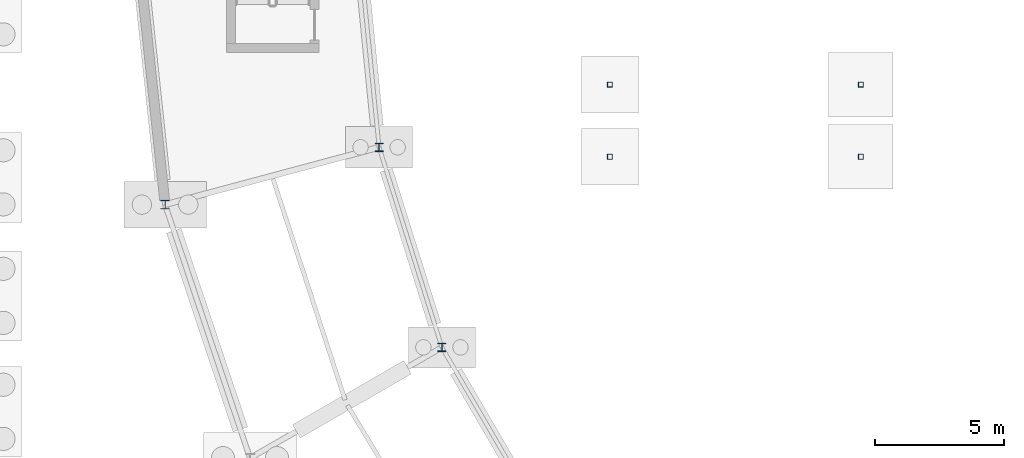
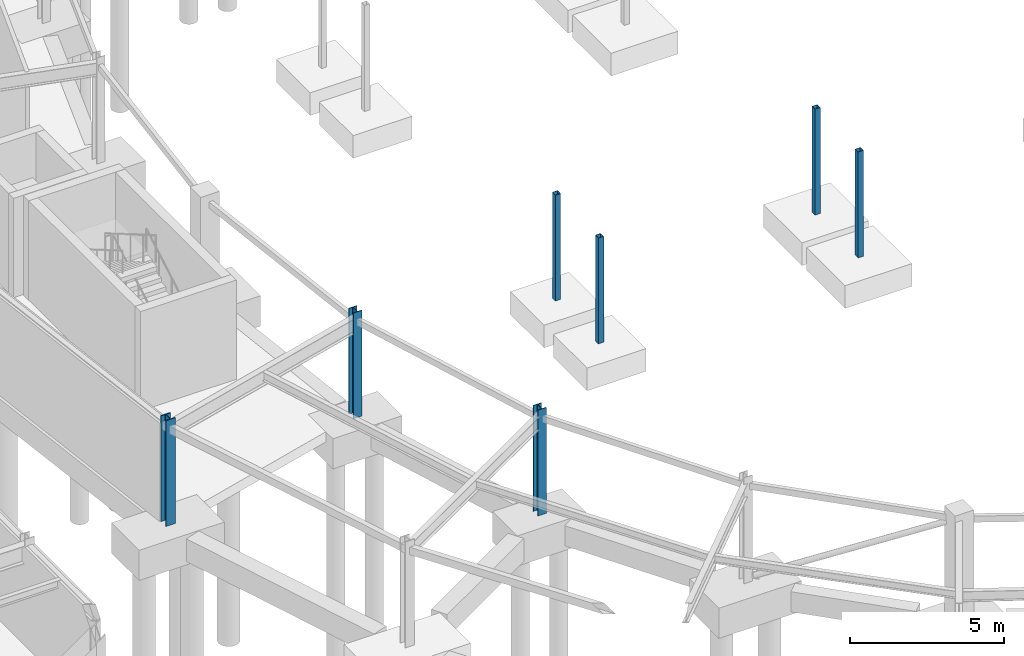
# One storey, part 11 of 58: 7 columns.
"""IFC4 building model written with IfcOpenShell, lengths in metres."""

from ifc_helpers import new_model, si_unit, direction, frame, origin, origin_2d, place, context, subcontext, project, spatial, hollow_rectangle, i_section, extrude, material, material_profile, profile_set, type_object, element, save


model = new_model("IFC4")

# Units and contexts
model_context = context("Model", 3, precision=1e-05, world=origin(), true_north=direction((0.0, 1.0)))
body_context = subcontext(model_context, "Body", "Model", "MODEL_VIEW")
ifc_project = project(units=[si_unit("LENGTHUNIT", "METRE"), si_unit("AREAUNIT", "SQUARE_METRE"), si_unit("VOLUMEUNIT", "CUBIC_METRE"), si_unit("PLANEANGLEUNIT", "RADIAN"), si_unit("MASSUNIT", "GRAM", prefix="KILO")], contexts=[model_context])

# Site, building, storey
site_placement = place(None, origin())
site = spatial("IfcSite", under=ifc_project, at=site_placement, CompositionType="ELEMENT")
building_placement = place(site_placement, origin())
building = spatial("IfcBuilding", under=site, at=building_placement, Name="Karori Crest Natural Sciences Institute", CompositionType="ELEMENT")
storey_placement = place(building_placement, frame((0.0, 0.0, -4.199951171875)))
storey = spatial("IfcBuildingStorey", under=building, at=storey_placement, Name="B1", CompositionType="ELEMENT", Elevation=-4.199951171875)

# Columns
ifc_material_1 = material(Name="Structural steel AS/NZS 3679.1 Grade 350", Category="steel")
ifc_material_profile_1 = material_profile(ifc_material_1, i_section(OverallWidth=0.35009765625, OverallDepth=0.35009765625, WebThickness=0.02001953125, FlangeThickness=0.031982421875, FilletRadius=0.01611328125, at=origin_2d()), Name="350WC280")
ifc_profile_set_1 = profile_set([ifc_material_profile_1], Name="Structural steel AS/NZS 3679.1 Grade 350")
column_type_1 = type_object("IfcColumnType", Name="CT-03", PredefinedType="COLUMN", material=ifc_profile_set_1)
column_placement = place(storey_placement, frame((34.5244140625, 39.340087890625, 0.0), z_axis=(0.0, 0.0, 1.0), x_axis=(1.0, 0.0, 0.0)))
element("IfcColumn", 1, at=column_placement, inside=storey, type_object=column_type_1, Name="Column C-0221", PredefinedType="COLUMN", context=body_context, shape_type="SweptSolid", body=[
    extrude(i_section(OverallWidth=0.35009765625, OverallDepth=0.35009765625, WebThickness=0.02001953125, FlangeThickness=0.031982421875, FilletRadius=0.01611328125, at=origin_2d()), origin(), (0.0, 0.0, 1.0), 4.199951171875),
])
ifc_material_profile_2 = material_profile(ifc_material_1, i_section(OverallWidth=0.31103515625, OverallDepth=0.326904296875, WebThickness=0.015625, FlangeThickness=0.02490234375, FilletRadius=0.01708984375, at=origin_2d()), Name="310UC158")
ifc_profile_set_2 = profile_set([ifc_material_profile_2], Name="Structural steel AS/NZS 3679.1 Grade 350")
column_type_2 = type_object("IfcColumnType", Name="CT-04-IL", PredefinedType="COLUMN", material=ifc_profile_set_2)
for number, where, z_axis, x_axis, name in (
    (2, (42.831298828125, 41.56591796875, 0.0), (0.0, 0.0, 1.0), (1.0, 0.0, 0.0), "Column C-0222"),
    (3, (45.26904296875, 33.800048828125, 0.0), (0.0, 0.0, 1.0), (1.0, 0.0, 0.0), "Column C-0238"),
):
    element("IfcColumn", number, at=place(storey_placement, frame(where, z_axis=z_axis, x_axis=x_axis)), inside=storey, type_object=column_type_2, Name=name, PredefinedType="COLUMN", context=body_context, shape_type="SweptSolid", body=[
        extrude(i_section(OverallWidth=0.31103515625, OverallDepth=0.326904296875, WebThickness=0.015625, FlangeThickness=0.02490234375, FilletRadius=0.01708984375, at=origin_2d()), origin(), (0.0, 0.0, 1.0), 4.199951171875),
    ])
ifc_material_2 = material(Name="Hollow structural steel AS/NZS 1163 Grade C350", Category="steel")
ifc_material_profile_3 = material_profile(ifc_material_2, hollow_rectangle(XDim=0.199951171875, YDim=0.199951171875, WallThickness=0.010009765625, at=origin_2d()), Name="SHS200x200x10")
ifc_profile_set_3 = profile_set([ifc_material_profile_3], Name="Hollow structural steel AS/NZS 1163 Grade C350")
column_type_3 = type_object("IfcColumnType", Name="CT-13", PredefinedType="COLUMN", material=ifc_profile_set_3)
for number, where, z_axis, x_axis, name in (
    (4, (51.7900390625, 41.199951171875, 0.0), (0.0, 0.0, 1.0), (1.0, 0.0, 0.0), "Column C-0397"),
    (5, (51.7900390625, 44.0, 0.0), (0.0, 0.0, 1.0), (1.0, 0.0, 0.0), "Column C-0402"),
    (6, (61.530029296875, 41.199951171875, 0.0), (0.0, 0.0, 1.0), (1.0, 0.0, 0.0), "Column C-0407"),
    (7, (61.530029296875, 44.0, 0.0), (0.0, 0.0, 1.0), (1.0, 0.0, 0.0), "Column C-0412"),
):
    element("IfcColumn", number, at=place(storey_placement, frame(where, z_axis=z_axis, x_axis=x_axis)), inside=storey, type_object=column_type_3, Name=name, PredefinedType="COLUMN", context=body_context, shape_type="SweptSolid", body=[
        extrude(hollow_rectangle(XDim=0.199951171875, YDim=0.199951171875, WallThickness=0.010009765625, at=origin_2d()), origin(), (0.0, 0.0, 1.0), 4.199951171875),
    ])

save(model, "model.ifc")
